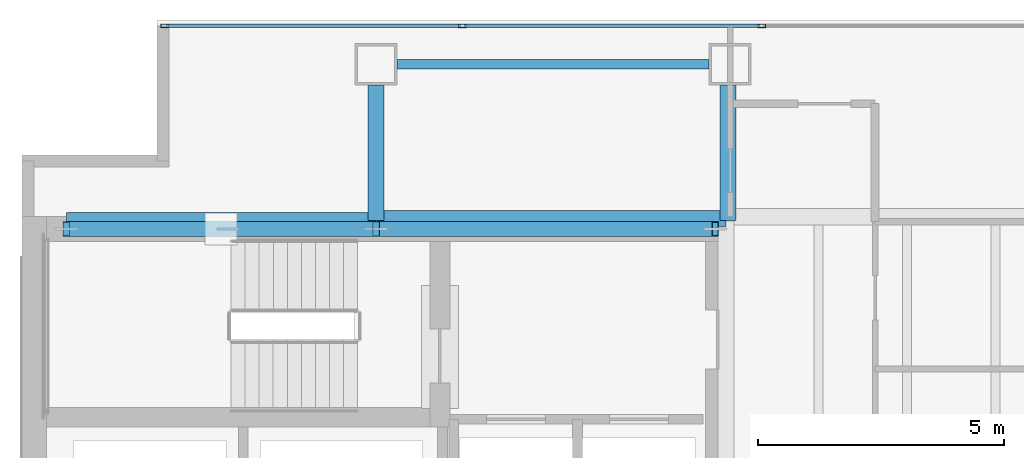
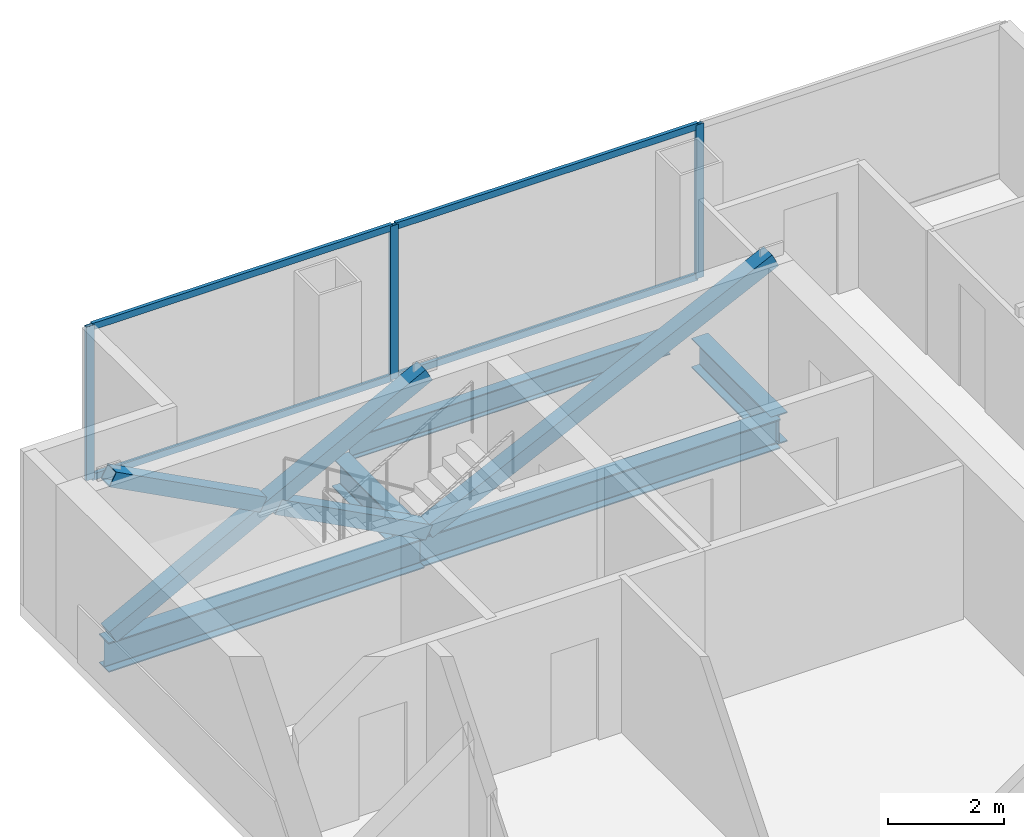
# One storey, part 17 of 23: 11 members, 5 beams, 1 element without a shape of its own.
"""IFC4 building model written with IfcOpenShell, lengths in metres."""

from ifc_helpers import new_model, si_unit, direction, frame, origin, origin_2d, place, context, subcontext, project, spatial, hollow_rectangle, i_section, extrude, material, material_profile, profile_set, type_object, element, aggregate, save


model = new_model("IFC4")

# Units and contexts
model_context = context("Model", 3, precision=1e-05, world=origin(), true_north=direction((0.0, 1.0)))
body_context = subcontext(model_context, "Body", "Model", "MODEL_VIEW")
ifc_project = project(units=[si_unit("LENGTHUNIT", "METRE"), si_unit("AREAUNIT", "SQUARE_METRE"), si_unit("VOLUMEUNIT", "CUBIC_METRE"), si_unit("PLANEANGLEUNIT", "RADIAN"), si_unit("MASSUNIT", "GRAM", prefix="KILO")], contexts=[model_context])

# Site, building, storey
site_placement = place(None, origin())
site = spatial("IfcSite", under=ifc_project, at=site_placement, CompositionType="ELEMENT")
building_placement = place(site_placement, origin())
building = spatial("IfcBuilding", under=site, at=building_placement, Name="Cobrela Telecom Tower", CompositionType="ELEMENT")
storey_placement = place(building_placement, frame((0.0, 0.0, 180.25)))
storey = spatial("IfcBuildingStorey", under=building, at=storey_placement, Name="L45", CompositionType="ELEMENT", Elevation=180.25)

# Beams
ifc_material_1 = material(Name="Steel ASTM A992 Grade 50", Category="steel")
ifc_material_profile_1 = material_profile(ifc_material_1, i_section(OverallWidth=0.327880859375, OverallDepth=0.6220703125, WebThickness=0.015380859375, FlangeThickness=0.0244140625, FilletRadius=0.014892578125, at=origin_2d()), Name="W24X131")
ifc_profile_set_1 = profile_set([ifc_material_profile_1], Name="Steel ASTM A992 Grade 50")
beam_type_1 = type_object("IfcBeamType", Name="BM-GIRD-06", PredefinedType="USERDEFINED", material=ifc_profile_set_1)
beam_1_placement = place(storey_placement, frame((0.905029296875, 35.919921875, -0.571044921875), z_axis=(1.0, 0.0, 0.0), x_axis=(0.0, 1.0, 0.0)))
element("IfcBeam", 1, at=beam_1_placement, inside=storey, type_object=beam_type_1, Name="L45 Primary Girder X20", ObjectType="GIRDER", PredefinedType="USERDEFINED", context=body_context, shape_type="SweptSolid", body=[
    extrude(i_section(OverallWidth=0.327880859375, OverallDepth=0.6220703125, WebThickness=0.015380859375, FlangeThickness=0.0244140625, FilletRadius=0.014892578125, at=origin_2d()), origin(), (0.0, 0.0, 1.0), 6.2900390625),
])
beam_2_placement = place(storey_placement, frame((7.205078125, 35.9599609375, -0.571044921875), z_axis=(1.0, 0.0, 0.0), x_axis=(0.0, 1.0, 0.0)))
element("IfcBeam", 2, at=beam_2_placement, inside=storey, type_object=beam_type_1, Name="L45 Primary Girder X21", ObjectType="GIRDER", PredefinedType="USERDEFINED", context=body_context, shape_type="SweptSolid", body=[
    extrude(i_section(OverallWidth=0.327880859375, OverallDepth=0.6220703125, WebThickness=0.015380859375, FlangeThickness=0.0244140625, FilletRadius=0.014892578125, at=origin_2d()), origin(), (0.0, 0.0, 1.0), 7.10986328125),
])
for number, where, z_axis, x_axis, name in (
    (3, (7.199951171875, 35.925048828125, -0.571044921875), (0.0, 1.0, 0.0), (-1.0, 0.0, 0.0), "L45 Primary Girder Y25"),
    (4, (14.360107421875, 35.925048828125, -0.571044921875), (0.0, 1.0, 0.0), (-1.0, 0.0, 0.0), "L45 Primary Girder Y31"),
):
    element("IfcBeam", number, at=place(storey_placement, frame(where, z_axis=z_axis, x_axis=x_axis)), inside=storey, type_object=beam_type_1, Name=name, ObjectType="GIRDER", PredefinedType="USERDEFINED", context=body_context, shape_type="SweptSolid", body=[
        extrude(i_section(OverallWidth=0.327880859375, OverallDepth=0.6220703125, WebThickness=0.015380859375, FlangeThickness=0.0244140625, FilletRadius=0.014892578125, at=origin_2d()), origin(), (0.0, 0.0, 1.0), 2.744873046875),
    ])
ifc_material_profile_2 = material_profile(ifc_material_1, i_section(OverallWidth=0.193115234375, OverallDepth=0.467041015625, WebThickness=0.011474609375, FlangeThickness=0.01904296875, FilletRadius=0.012939453125, at=origin_2d()), Name="W18X65")
ifc_profile_set_2 = profile_set([ifc_material_profile_2], Name="Steel ASTM A992 Grade 50")
beam_type_2 = type_object("IfcBeamType", Name="BM-SPAND-05", PredefinedType="SPANDREL", material=ifc_profile_set_2)
beam_3_placement = place(storey_placement, frame((7.6298828125, 39.10009765625, -0.493408203125), z_axis=(1.0, 0.0, 0.0), x_axis=(0.0, 1.0, 0.0)))
element("IfcBeam", 5, at=beam_3_placement, inside=storey, type_object=beam_type_2, Name="L45 Perimeter Spandrel X23", PredefinedType="SPANDREL", context=body_context, shape_type="SweptSolid", body=[
    extrude(i_section(OverallWidth=0.193115234375, OverallDepth=0.467041015625, WebThickness=0.011474609375, FlangeThickness=0.01904296875, FilletRadius=0.012939453125, at=origin_2d()), origin(), (0.0, 0.0, 1.0), 6.340087890625),
])

# Curtain wall, members
ifc_material_2 = material(Name="Anodized Bronze Aluminium 6063-T6", Category="aluminium")
curtain_wall_type = type_object("IfcCurtainWallType", Name="CW-SYS-OFF-LO", PredefinedType="USERDEFINED", material=ifc_material_2)
curtain_wall_placement = place(storey_placement, origin())
curtain_wall = element("IfcCurtainWall", 6, at=curtain_wall_placement, inside=storey, type_object=curtain_wall_type, Name="L45 Unitised Bronze Curtain Wall 07", ObjectType="UNITISED CURTAIN WALL", PredefinedType="USERDEFINED")
ifc_material_profile_3 = material_profile(ifc_material_2, hollow_rectangle(XDim=0.070068359375, YDim=0.159912109375, WallThickness=0.00390625, at=origin_2d()), Name="ALU 70x160x4")
ifc_profile_set_3 = profile_set([ifc_material_profile_3], Name="Anodized Bronze Aluminium 6063-T6")
member_type_1 = type_object("IfcMemberType", Name="CW-SYS-OFF-LO-MUL", PredefinedType="MULLION", material=ifc_profile_set_3)
member_1_placement = place(storey_placement, frame((2.905029296875, 39.8798828125, 0.0), z_axis=(0.0, 0.0, 1.0), x_axis=(0.0, 1.0, 0.0)))
member_1 = element("IfcMember", 7, at=member_1_placement, type_object=member_type_1, Name="CW-OFF-LO mullion 1", PredefinedType="MULLION", context=body_context, shape_type="SweptSolid", body=[
    extrude(hollow_rectangle(XDim=0.070068359375, YDim=0.159912109375, WallThickness=0.00390625, at=origin_2d()), origin(), (0.0, 0.0, 1.0), 3.239990234375),
])
member_2_placement = place(storey_placement, frame((8.956787109375, 39.8798828125, 0.0), z_axis=(0.0, 0.0, 1.0), x_axis=(0.0, 1.0, 0.0)))
member_2 = element("IfcMember", 8, at=member_2_placement, type_object=member_type_1, Name="CW-OFF-LO mullion 2", PredefinedType="MULLION", context=body_context, shape_type="SweptSolid", body=[
    extrude(hollow_rectangle(XDim=0.070068359375, YDim=0.159912109375, WallThickness=0.00390625, at=origin_2d()), origin(), (0.0, 0.0, 1.0), 3.239990234375),
])
member_3_placement = place(storey_placement, frame((15.043212890625, 39.8798828125, 0.0), z_axis=(0.0, 0.0, 1.0), x_axis=(0.0, 1.0, 0.0)))
member_3 = element("IfcMember", 9, at=member_3_placement, type_object=member_type_1, Name="CW-OFF-LO mullion 3", PredefinedType="MULLION", context=body_context, shape_type="SweptSolid", body=[
    extrude(hollow_rectangle(XDim=0.070068359375, YDim=0.159912109375, WallThickness=0.00390625, at=origin_2d()), origin(), (0.0, 0.0, 1.0), 3.239990234375),
])
ifc_material_profile_4 = material_profile(ifc_material_2, hollow_rectangle(XDim=0.070068359375, YDim=0.139892578125, WallThickness=0.00390625, at=origin_2d()), Name="ALU 70x140x4")
ifc_profile_set_4 = profile_set([ifc_material_profile_4], Name="Anodized Bronze Aluminium 6063-T6")
member_type_2 = type_object("IfcMemberType", Name="CW-SYS-OFF-LO-TRN", PredefinedType="USERDEFINED", material=ifc_profile_set_4)
member_4_placement = place(storey_placement, frame((2.93994140625, 39.8798828125, 0.034912109375), z_axis=(1.0, 0.0, 0.0), x_axis=(0.0, 1.0, 0.0)))
member_4 = element("IfcMember", 10, at=member_4_placement, type_object=member_type_2, Name="CW-OFF-LO transom 1.1", ObjectType="TRANSOM", PredefinedType="USERDEFINED", context=body_context, shape_type="SweptSolid", body=[
    extrude(hollow_rectangle(XDim=0.070068359375, YDim=0.139892578125, WallThickness=0.00390625, at=origin_2d()), origin(), (0.0, 0.0, 1.0), 5.981689453125),
])
member_5_placement = place(storey_placement, frame((2.93994140625, 39.8798828125, 3.205078125), z_axis=(1.0, 0.0, 0.0), x_axis=(0.0, 1.0, 0.0)))
member_5 = element("IfcMember", 11, at=member_5_placement, type_object=member_type_2, Name="CW-OFF-LO transom 1.2", ObjectType="TRANSOM", PredefinedType="USERDEFINED", context=body_context, shape_type="SweptSolid", body=[
    extrude(hollow_rectangle(XDim=0.070068359375, YDim=0.139892578125, WallThickness=0.00390625, at=origin_2d()), origin(), (0.0, 0.0, 1.0), 5.981689453125),
])
member_6_placement = place(storey_placement, frame((8.99169921875, 39.8798828125, 0.034912109375), z_axis=(1.0, 0.0, 0.0), x_axis=(0.0, 1.0, 0.0)))
member_6 = element("IfcMember", 12, at=member_6_placement, type_object=member_type_2, Name="CW-OFF-LO transom 2.1", ObjectType="TRANSOM", PredefinedType="USERDEFINED", context=body_context, shape_type="SweptSolid", body=[
    extrude(hollow_rectangle(XDim=0.070068359375, YDim=0.139892578125, WallThickness=0.00390625, at=origin_2d()), origin(), (0.0, 0.0, 1.0), 6.0166015625),
])
member_7_placement = place(storey_placement, frame((8.99169921875, 39.8798828125, 3.205078125), z_axis=(1.0, 0.0, 0.0), x_axis=(0.0, 1.0, 0.0)))
member_7 = element("IfcMember", 13, at=member_7_placement, type_object=member_type_2, Name="CW-OFF-LO transom 2.2", ObjectType="TRANSOM", PredefinedType="USERDEFINED", context=body_context, shape_type="SweptSolid", body=[
    extrude(hollow_rectangle(XDim=0.070068359375, YDim=0.139892578125, WallThickness=0.00390625, at=origin_2d()), origin(), (0.0, 0.0, 1.0), 6.0166015625),
])
aggregate(curtain_wall, [member_1, member_2, member_3, member_4, member_5, member_6, member_7])

# Members
ifc_material_3 = material(Name="Steel ASTM A572 Grade 50", Category="steel")
ifc_material_profile_5 = material_profile(ifc_material_3, hollow_rectangle(XDim=0.300048828125, YDim=0.300048828125, WallThickness=0.01611328125, at=origin_2d()), Name="HSS 300x300x16")
ifc_profile_set_5 = profile_set([ifc_material_profile_5], Name="Steel ASTM A572 Grade 50")
member_type_3 = type_object("IfcMemberType", Name="MBR-EXO-03", PredefinedType="BRACE", material=ifc_profile_set_5)
member_8_placement = place(storey_placement, frame((0.89990234375, 35.75, -0.0400390625), z_axis=(0.884671945606, 0.0, 0.466214058837), x_axis=(0.0, 1.0, 0.0)))
element("IfcMember", 14, at=member_8_placement, inside=storey, type_object=member_type_3, Name="L45 Core Flange Steel X-Brace Continuous A", PredefinedType="BRACE", context=body_context, shape_type="SweptSolid", body=[
    extrude(hollow_rectangle(XDim=0.300048828125, YDim=0.300048828125, WallThickness=0.01611328125, at=origin_2d()), origin(), (0.0, 0.0, 1.0), 7.121337890625),
])
for number, where, z_axis, x_axis, name in (
    (15, (7.199951171875, 35.75, -0.0400390625), (-0.884666782579, 0.0, 0.466223855891), (0.0, -1.0, 0.0), "L45 Core Flange Steel X-Brace Split B1"),
    (16, (3.9013671875, 35.75, 1.6982421875), (-0.884666782579, 0.0, 0.466223855891), (0.0, -1.0, 0.0), "L45 Core Flange Steel X-Brace Split B2"),
):
    element("IfcMember", number, at=place(storey_placement, frame(where, z_axis=z_axis, x_axis=x_axis)), inside=storey, type_object=member_type_3, Name=name, PredefinedType="BRACE", context=body_context, shape_type="SweptSolid", body=[
        extrude(hollow_rectangle(XDim=0.300048828125, YDim=0.300048828125, WallThickness=0.01611328125, at=origin_2d()), origin(), (0.0, 0.0, 1.0), 3.392822265625),
    ])
member_9_placement = place(storey_placement, frame((7.199951171875, 35.75, -0.0400390625), z_axis=(0.901115182893, 0.0, 0.43357978177), x_axis=(0.0, 1.0, 0.0)))
element("IfcMember", 17, at=member_9_placement, inside=storey, type_object=member_type_3, Name="L45 Core Flange Steel Brace N2", PredefinedType="BRACE", context=body_context, shape_type="SweptSolid", body=[
    extrude(hollow_rectangle(XDim=0.300048828125, YDim=0.300048828125, WallThickness=0.01611328125, at=origin_2d()), origin(), (0.0, 0.0, 1.0), 7.6572265625),
])

save(model, "model.ifc")
